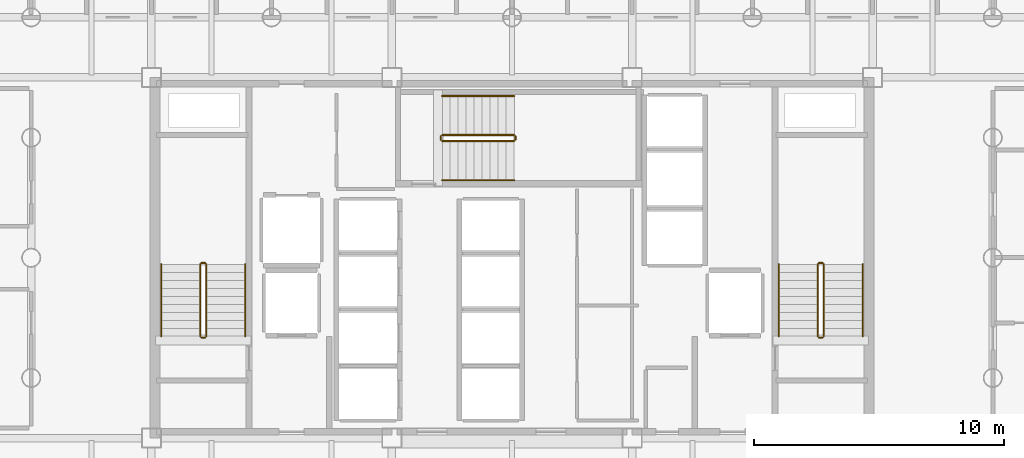
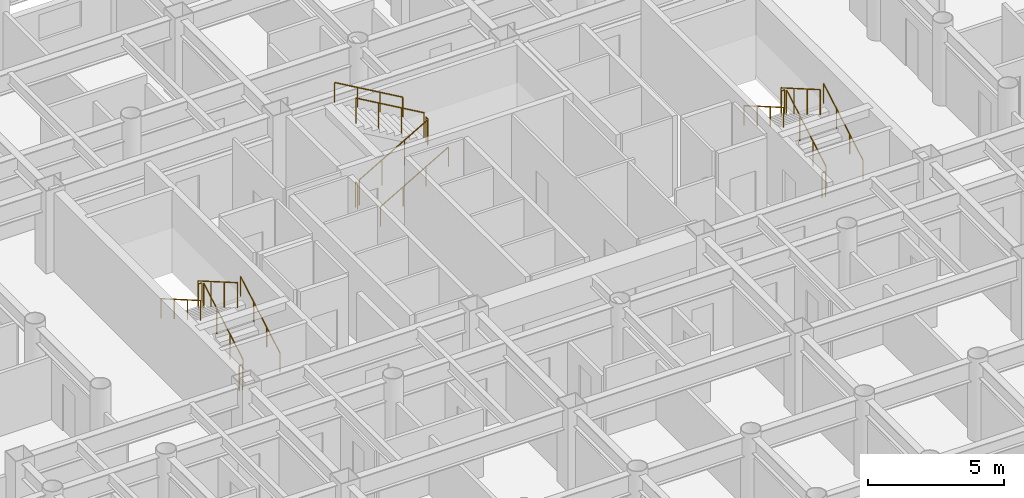
# One storey, part 22 of 22: 18 railings.
"""IFC4 building model written with IfcOpenShell, lengths in metres."""

from ifc_helpers import new_model, si_unit, direction, frame, origin, origin_2d, place, context, subcontext, project, spatial, circle, extrude, material, layer, layer_set, type_object, element, save


model = new_model("IFC4")

# Units and contexts
model_context = context("Model", 3, precision=1e-05, world=origin(), true_north=direction((0.0, 1.0)))
body_context = subcontext(model_context, "Body", "Model", "MODEL_VIEW")
ifc_project = project(units=[si_unit("LENGTHUNIT", "METRE"), si_unit("AREAUNIT", "SQUARE_METRE"), si_unit("VOLUMEUNIT", "CUBIC_METRE"), si_unit("PLANEANGLEUNIT", "RADIAN"), si_unit("MASSUNIT", "GRAM", prefix="KILO")], contexts=[model_context])

# Site, building, storey
site_placement = place(None, origin())
site = spatial("IfcSite", under=ifc_project, at=site_placement, CompositionType="ELEMENT")
building_placement = place(site_placement, origin())
building = spatial("IfcBuilding", under=site, at=building_placement, Name="Kallvorn Hotel Tower", CompositionType="ELEMENT")
storey_placement = place(building_placement, frame((0.0, 0.0, 37.39990234375)))
storey = spatial("IfcBuildingStorey", under=building, at=storey_placement, Name="L07", CompositionType="ELEMENT", Elevation=37.39990234375)

# Railings
ifc_material_1 = material(Name="Brushed stainless-steel tubular railing", Category="steel")
ifc_layer_1 = layer(ifc_material_1, 0.050048828125)
ifc_layer_set_1 = layer_set([ifc_layer_1], Name="RL_STAIR_GUARD")
railing_type_1 = type_object("IfcRailingType", Name="RL_STAIR_GUARD", PredefinedType="GUARDRAIL", material=ifc_layer_set_1)
railing_1_placement = place(storey_placement, frame((-12.2099609375, -3.139892578125, 0.18505859375)))
element("IfcRailing", 1, at=railing_1_placement, inside=storey, type_object=railing_type_1, Name="L07 ST1 stair guard 1", PredefinedType="GUARDRAIL", context=body_context, shape_type="SweptSolid", body=[
    extrude(circle(Radius=0.02392578125, at=origin_2d()), frame((0.0, 0.0, 1.1259765625), z_axis=(0.0, 0.865720918037, 0.500527014328), x_axis=(-1.0, 0.0, 0.0)), (0.0, 0.0, 1.0), 3.32666015625),
    extrude(circle(Radius=0.02099609375, at=origin_2d()), origin(), (0.0, 0.0, 1.0), 1.101806640625),
    extrude(circle(Radius=0.02099609375, at=origin_2d()), frame((0.0, 0.9599609375, 0.554931640625)), (0.0, 0.0, 1.0), 1.101806640625),
    extrude(circle(Radius=0.02099609375, at=origin_2d()), frame((0.0, 1.919921875, 1.110107421875)), (0.0, 0.0, 1.0), 1.101806640625),
    extrude(circle(Radius=0.02099609375, at=origin_2d()), frame((0.0, 2.8798828125, 1.6650390625)), (0.0, 0.0, 1.0), 1.101806640625),
])
railing_2_placement = place(storey_placement, frame((-12.260009765625, -0.2099609375, 1.85009765625)))
element("IfcRailing", 2, at=railing_2_placement, inside=storey, type_object=railing_type_1, Name="L07 ST1 stair guard 2", PredefinedType="GUARDRAIL", context=body_context, shape_type="SweptSolid", body=[
    extrude(circle(Radius=0.02392578125, at=origin_2d()), frame((0.0, 0.0, 1.1259765625), z_axis=(-1.0, 0.0, 0.0), x_axis=(0.0, -1.0, 0.0)), (0.0, 0.0, 1.0), 0.139892578125),
    extrude(circle(Radius=0.02099609375, at=origin_2d()), origin(), (0.0, 0.0, 1.0), 1.101806640625),
    extrude(circle(Radius=0.02099609375, at=origin_2d()), frame((-0.139892578125, 0.0, 0.0)), (0.0, 0.0, 1.0), 1.101806640625),
])
railing_3_placement = place(storey_placement, frame((-12.449951171875, -0.260009765625, 2.03515625)))
element("IfcRailing", 3, at=railing_3_placement, inside=storey, type_object=railing_type_1, Name="L07 ST1 stair guard 3", PredefinedType="GUARDRAIL", context=body_context, shape_type="SweptSolid", body=[
    extrude(circle(Radius=0.02392578125, at=origin_2d()), frame((0.0, 0.0, 1.1259765625), z_axis=(0.0, -0.865720918037, 0.500527014328), x_axis=(1.0, 0.0, 0.0)), (0.0, 0.0, 1.0), 3.32666015625),
    extrude(circle(Radius=0.02099609375, at=origin_2d()), origin(), (0.0, 0.0, 1.0), 1.101806640625),
    extrude(circle(Radius=0.02099609375, at=origin_2d()), frame((0.0, -0.9599609375, 0.554931640625)), (0.0, 0.0, 1.0), 1.101806640625),
    extrude(circle(Radius=0.02099609375, at=origin_2d()), frame((0.0, -1.919921875, 1.110107421875)), (0.0, 0.0, 1.0), 1.101806640625),
    extrude(circle(Radius=0.02099609375, at=origin_2d()), frame((0.0, -2.8798828125, 1.6650390625)), (0.0, 0.0, 1.0), 1.101806640625),
])
railing_4_placement = place(storey_placement, frame((-12.260009765625, -3.18994140625, 0.0)))
element("IfcRailing", 4, at=railing_4_placement, inside=storey, type_object=railing_type_1, Name="L07 ST1 stair guard 4", PredefinedType="GUARDRAIL", context=body_context, shape_type="SweptSolid", body=[
    extrude(circle(Radius=0.02392578125, at=origin_2d()), frame((0.0, 0.0, 1.1259765625), z_axis=(-1.0, 0.0, 0.0), x_axis=(0.0, -1.0, 0.0)), (0.0, 0.0, 1.0), 0.139892578125),
    extrude(circle(Radius=0.02099609375, at=origin_2d()), origin(), (0.0, 0.0, 1.0), 1.101806640625),
    extrude(circle(Radius=0.02099609375, at=origin_2d()), frame((-0.139892578125, 0.0, 0.0)), (0.0, 0.0, 1.0), 1.101806640625),
])
railing_5_placement = place(storey_placement, frame((12.449951171875, -3.139892578125, 0.18505859375)))
element("IfcRailing", 5, at=railing_5_placement, inside=storey, type_object=railing_type_1, Name="L07 ST2 stair guard 1", PredefinedType="GUARDRAIL", context=body_context, shape_type="SweptSolid", body=[
    extrude(circle(Radius=0.02392578125, at=origin_2d()), frame((0.0, 0.0, 1.1259765625), z_axis=(0.0, 0.865720918037, 0.500527014328), x_axis=(-1.0, 0.0, 0.0)), (0.0, 0.0, 1.0), 3.32666015625),
    extrude(circle(Radius=0.02099609375, at=origin_2d()), origin(), (0.0, 0.0, 1.0), 1.101806640625),
    extrude(circle(Radius=0.02099609375, at=origin_2d()), frame((0.0, 0.9599609375, 0.554931640625)), (0.0, 0.0, 1.0), 1.101806640625),
    extrude(circle(Radius=0.02099609375, at=origin_2d()), frame((0.0, 1.919921875, 1.110107421875)), (0.0, 0.0, 1.0), 1.101806640625),
    extrude(circle(Radius=0.02099609375, at=origin_2d()), frame((0.0, 2.8798828125, 1.6650390625)), (0.0, 0.0, 1.0), 1.101806640625),
])
railing_6_placement = place(storey_placement, frame((12.39990234375, -0.2099609375, 1.85009765625)))
element("IfcRailing", 6, at=railing_6_placement, inside=storey, type_object=railing_type_1, Name="L07 ST2 stair guard 2", PredefinedType="GUARDRAIL", context=body_context, shape_type="SweptSolid", body=[
    extrude(circle(Radius=0.02392578125, at=origin_2d()), frame((0.0, 0.0, 1.1259765625), z_axis=(-1.0, 0.0, 0.0), x_axis=(0.0, -1.0, 0.0)), (0.0, 0.0, 1.0), 0.139892578125),
    extrude(circle(Radius=0.02099609375, at=origin_2d()), origin(), (0.0, 0.0, 1.0), 1.101806640625),
    extrude(circle(Radius=0.02099609375, at=origin_2d()), frame((-0.139892578125, 0.0, 0.0)), (0.0, 0.0, 1.0), 1.101806640625),
])
railing_7_placement = place(storey_placement, frame((12.2099609375, -0.260009765625, 2.03515625)))
element("IfcRailing", 7, at=railing_7_placement, inside=storey, type_object=railing_type_1, Name="L07 ST2 stair guard 3", PredefinedType="GUARDRAIL", context=body_context, shape_type="SweptSolid", body=[
    extrude(circle(Radius=0.02392578125, at=origin_2d()), frame((0.0, 0.0, 1.1259765625), z_axis=(0.0, -0.865720918037, 0.500527014328), x_axis=(1.0, 0.0, 0.0)), (0.0, 0.0, 1.0), 3.32666015625),
    extrude(circle(Radius=0.02099609375, at=origin_2d()), origin(), (0.0, 0.0, 1.0), 1.101806640625),
    extrude(circle(Radius=0.02099609375, at=origin_2d()), frame((0.0, -0.9599609375, 0.554931640625)), (0.0, 0.0, 1.0), 1.101806640625),
    extrude(circle(Radius=0.02099609375, at=origin_2d()), frame((0.0, -1.919921875, 1.110107421875)), (0.0, 0.0, 1.0), 1.101806640625),
    extrude(circle(Radius=0.02099609375, at=origin_2d()), frame((0.0, -2.8798828125, 1.6650390625)), (0.0, 0.0, 1.0), 1.101806640625),
])
railing_8_placement = place(storey_placement, frame((12.39990234375, -3.18994140625, 0.0)))
element("IfcRailing", 8, at=railing_8_placement, inside=storey, type_object=railing_type_1, Name="L07 ST2 stair guard 4", PredefinedType="GUARDRAIL", context=body_context, shape_type="SweptSolid", body=[
    extrude(circle(Radius=0.02392578125, at=origin_2d()), frame((0.0, 0.0, 1.1259765625), z_axis=(-1.0, 0.0, 0.0), x_axis=(0.0, -1.0, 0.0)), (0.0, 0.0, 1.0), 0.139892578125),
    extrude(circle(Radius=0.02099609375, at=origin_2d()), origin(), (0.0, 0.0, 1.0), 1.101806640625),
    extrude(circle(Radius=0.02099609375, at=origin_2d()), frame((-0.139892578125, 0.0, 0.0)), (0.0, 0.0, 1.0), 1.101806640625),
])
railing_9_placement = place(storey_placement, frame((-2.7900390625, 4.659912109375, 0.18505859375)))
element("IfcRailing", 9, at=railing_9_placement, inside=storey, type_object=railing_type_1, Name="L07 ST3 stair guard 1", PredefinedType="GUARDRAIL", context=body_context, shape_type="SweptSolid", body=[
    extrude(circle(Radius=0.02392578125, at=origin_2d()), frame((0.0, 0.0, 1.1259765625), z_axis=(0.865739302748, 0.0, 0.50049521444), x_axis=(0.0, 1.0, 0.0)), (0.0, 0.0, 1.0), 3.326904296875),
    extrude(circle(Radius=0.02099609375, at=origin_2d()), origin(), (0.0, 0.0, 1.0), 1.101806640625),
    extrude(circle(Radius=0.02099609375, at=origin_2d()), frame((0.9599609375, 0.0, 0.554931640625)), (0.0, 0.0, 1.0), 1.101806640625),
    extrude(circle(Radius=0.02099609375, at=origin_2d()), frame((1.920166015625, 0.0, 1.110107421875)), (0.0, 0.0, 1.0), 1.101806640625),
    extrude(circle(Radius=0.02099609375, at=origin_2d()), frame((2.880126953125, 0.0, 1.6650390625)), (0.0, 0.0, 1.0), 1.101806640625),
])
railing_10_placement = place(storey_placement, frame((0.139892578125, 4.7099609375, 1.85009765625)))
element("IfcRailing", 10, at=railing_10_placement, inside=storey, type_object=railing_type_1, Name="L07 ST3 stair guard 2", PredefinedType="GUARDRAIL", context=body_context, shape_type="SweptSolid", body=[
    extrude(circle(Radius=0.02392578125, at=origin_2d()), frame((0.0, 0.0, 1.1259765625), z_axis=(0.0, 1.0, 0.0), x_axis=(-1.0, 0.0, 0.0)), (0.0, 0.0, 1.0), 0.14013671875),
    extrude(circle(Radius=0.02099609375, at=origin_2d()), origin(), (0.0, 0.0, 1.0), 1.101806640625),
    extrude(circle(Radius=0.02099609375, at=origin_2d()), frame((0.0, 0.14013671875, 0.0)), (0.0, 0.0, 1.0), 1.101806640625),
])
railing_11_placement = place(storey_placement, frame((0.090087890625, 4.89990234375, 2.03515625)))
element("IfcRailing", 11, at=railing_11_placement, inside=storey, type_object=railing_type_1, Name="L07 ST3 stair guard 3", PredefinedType="GUARDRAIL", context=body_context, shape_type="SweptSolid", body=[
    extrude(circle(Radius=0.02392578125, at=origin_2d()), frame((0.0, 0.0, 1.1259765625), z_axis=(-0.865739302748, 0.0, 0.50049521444), x_axis=(0.0, -1.0, 0.0)), (0.0, 0.0, 1.0), 3.326904296875),
    extrude(circle(Radius=0.02099609375, at=origin_2d()), origin(), (0.0, 0.0, 1.0), 1.101806640625),
    extrude(circle(Radius=0.02099609375, at=origin_2d()), frame((-0.9599609375, 0.0, 0.554931640625)), (0.0, 0.0, 1.0), 1.101806640625),
    extrude(circle(Radius=0.02099609375, at=origin_2d()), frame((-1.920166015625, 0.0, 1.110107421875)), (0.0, 0.0, 1.0), 1.101806640625),
    extrude(circle(Radius=0.02099609375, at=origin_2d()), frame((-2.880126953125, 0.0, 1.6650390625)), (0.0, 0.0, 1.0), 1.101806640625),
])
railing_12_placement = place(storey_placement, frame((-2.840087890625, 4.7099609375, 0.0)))
element("IfcRailing", 12, at=railing_12_placement, inside=storey, type_object=railing_type_1, Name="L07 ST3 stair guard 4", PredefinedType="GUARDRAIL", context=body_context, shape_type="SweptSolid", body=[
    extrude(circle(Radius=0.02392578125, at=origin_2d()), frame((0.0, 0.0, 1.1259765625), z_axis=(0.0, 1.0, 0.0), x_axis=(-1.0, 0.0, 0.0)), (0.0, 0.0, 1.0), 0.14013671875),
    extrude(circle(Radius=0.02099609375, at=origin_2d()), origin(), (0.0, 0.0, 1.0), 1.101806640625),
    extrude(circle(Radius=0.02099609375, at=origin_2d()), frame((0.0, 0.14013671875, 0.0)), (0.0, 0.0, 1.0), 1.101806640625),
])
ifc_material_2 = material(Name="Brushed stainless-steel tubular railing", Category="steel")
ifc_layer_2 = layer(ifc_material_2, 0.050048828125)
ifc_layer_set_2 = layer_set([ifc_layer_2], Name="RL_STAIR_HAND")
railing_type_2 = type_object("IfcRailingType", Name="RL_STAIR_HAND", PredefinedType="HANDRAIL", material=ifc_layer_set_2)
railing_13_placement = place(storey_placement, frame((-10.64990234375, -3.139892578125, 0.18505859375)))
element("IfcRailing", 13, at=railing_13_placement, inside=storey, type_object=railing_type_2, Name="L07 ST1 stair handrail 1", PredefinedType="HANDRAIL", context=body_context, shape_type="SweptSolid", body=[
    extrude(circle(Radius=0.02392578125, at=origin_2d()), frame((0.0, 0.0, 0.8759765625), z_axis=(0.0, 0.865720918037, 0.500527014328), x_axis=(-1.0, 0.0, 0.0)), (0.0, 0.0, 1.0), 3.32666015625),
    extrude(circle(Radius=0.02099609375, at=origin_2d()), origin(), (0.0, 0.0, 1.0), 0.851806640625),
    extrude(circle(Radius=0.02099609375, at=origin_2d()), frame((0.0, 0.9599609375, 0.554931640625)), (0.0, 0.0, 1.0), 0.851806640625),
    extrude(circle(Radius=0.02099609375, at=origin_2d()), frame((0.0, 1.919921875, 1.110107421875)), (0.0, 0.0, 1.0), 0.851806640625),
    extrude(circle(Radius=0.02099609375, at=origin_2d()), frame((0.0, 2.8798828125, 1.6650390625)), (0.0, 0.0, 1.0), 0.851806640625),
])
railing_14_placement = place(storey_placement, frame((-14.010009765625, -0.260009765625, 2.03515625)))
element("IfcRailing", 14, at=railing_14_placement, inside=storey, type_object=railing_type_2, Name="L07 ST1 stair handrail 2", PredefinedType="HANDRAIL", context=body_context, shape_type="SweptSolid", body=[
    extrude(circle(Radius=0.02392578125, at=origin_2d()), frame((0.0, 0.0, 0.8759765625), z_axis=(0.0, -0.865720918037, 0.500527014328), x_axis=(1.0, 0.0, 0.0)), (0.0, 0.0, 1.0), 3.32666015625),
    extrude(circle(Radius=0.02099609375, at=origin_2d()), origin(), (0.0, 0.0, 1.0), 0.851806640625),
    extrude(circle(Radius=0.02099609375, at=origin_2d()), frame((0.0, -0.9599609375, 0.554931640625)), (0.0, 0.0, 1.0), 0.851806640625),
    extrude(circle(Radius=0.02099609375, at=origin_2d()), frame((0.0, -1.919921875, 1.110107421875)), (0.0, 0.0, 1.0), 0.851806640625),
    extrude(circle(Radius=0.02099609375, at=origin_2d()), frame((0.0, -2.8798828125, 1.6650390625)), (0.0, 0.0, 1.0), 0.851806640625),
])
railing_15_placement = place(storey_placement, frame((14.010009765625, -3.139892578125, 0.18505859375)))
element("IfcRailing", 15, at=railing_15_placement, inside=storey, type_object=railing_type_2, Name="L07 ST2 stair handrail 1", PredefinedType="HANDRAIL", context=body_context, shape_type="SweptSolid", body=[
    extrude(circle(Radius=0.02392578125, at=origin_2d()), frame((0.0, 0.0, 0.8759765625), z_axis=(0.0, 0.865720918037, 0.500527014328), x_axis=(-1.0, 0.0, 0.0)), (0.0, 0.0, 1.0), 3.32666015625),
    extrude(circle(Radius=0.02099609375, at=origin_2d()), origin(), (0.0, 0.0, 1.0), 0.851806640625),
    extrude(circle(Radius=0.02099609375, at=origin_2d()), frame((0.0, 0.9599609375, 0.554931640625)), (0.0, 0.0, 1.0), 0.851806640625),
    extrude(circle(Radius=0.02099609375, at=origin_2d()), frame((0.0, 1.919921875, 1.110107421875)), (0.0, 0.0, 1.0), 0.851806640625),
    extrude(circle(Radius=0.02099609375, at=origin_2d()), frame((0.0, 2.8798828125, 1.6650390625)), (0.0, 0.0, 1.0), 0.851806640625),
])
railing_16_placement = place(storey_placement, frame((10.64990234375, -0.260009765625, 2.03515625)))
element("IfcRailing", 16, at=railing_16_placement, inside=storey, type_object=railing_type_2, Name="L07 ST2 stair handrail 2", PredefinedType="HANDRAIL", context=body_context, shape_type="SweptSolid", body=[
    extrude(circle(Radius=0.02392578125, at=origin_2d()), frame((0.0, 0.0, 0.8759765625), z_axis=(0.0, -0.865720918037, 0.500527014328), x_axis=(1.0, 0.0, 0.0)), (0.0, 0.0, 1.0), 3.32666015625),
    extrude(circle(Radius=0.02099609375, at=origin_2d()), origin(), (0.0, 0.0, 1.0), 0.851806640625),
    extrude(circle(Radius=0.02099609375, at=origin_2d()), frame((0.0, -0.9599609375, 0.554931640625)), (0.0, 0.0, 1.0), 0.851806640625),
    extrude(circle(Radius=0.02099609375, at=origin_2d()), frame((0.0, -1.919921875, 1.110107421875)), (0.0, 0.0, 1.0), 0.851806640625),
    extrude(circle(Radius=0.02099609375, at=origin_2d()), frame((0.0, -2.8798828125, 1.6650390625)), (0.0, 0.0, 1.0), 0.851806640625),
])
railing_17_placement = place(storey_placement, frame((-2.7900390625, 3.10009765625, 0.18505859375)))
element("IfcRailing", 17, at=railing_17_placement, inside=storey, type_object=railing_type_2, Name="L07 ST3 stair handrail 1", PredefinedType="HANDRAIL", context=body_context, shape_type="SweptSolid", body=[
    extrude(circle(Radius=0.02392578125, at=origin_2d()), frame((0.0, 0.0, 0.8759765625), z_axis=(0.865739302748, 0.0, 0.50049521444), x_axis=(0.0, 1.0, 0.0)), (0.0, 0.0, 1.0), 3.326904296875),
    extrude(circle(Radius=0.02099609375, at=origin_2d()), origin(), (0.0, 0.0, 1.0), 0.851806640625),
    extrude(circle(Radius=0.02099609375, at=origin_2d()), frame((0.9599609375, 0.0, 0.554931640625)), (0.0, 0.0, 1.0), 0.851806640625),
    extrude(circle(Radius=0.02099609375, at=origin_2d()), frame((1.920166015625, 0.0, 1.110107421875)), (0.0, 0.0, 1.0), 0.851806640625),
    extrude(circle(Radius=0.02099609375, at=origin_2d()), frame((2.880126953125, 0.0, 1.6650390625)), (0.0, 0.0, 1.0), 0.851806640625),
])
railing_18_placement = place(storey_placement, frame((0.090087890625, 6.4599609375, 2.03515625)))
element("IfcRailing", 18, at=railing_18_placement, inside=storey, type_object=railing_type_2, Name="L07 ST3 stair handrail 2", PredefinedType="HANDRAIL", context=body_context, shape_type="SweptSolid", body=[
    extrude(circle(Radius=0.02392578125, at=origin_2d()), frame((0.0, 0.0, 0.8759765625), z_axis=(-0.865739302748, 0.0, 0.50049521444), x_axis=(0.0, -1.0, 0.0)), (0.0, 0.0, 1.0), 3.326904296875),
    extrude(circle(Radius=0.02099609375, at=origin_2d()), origin(), (0.0, 0.0, 1.0), 0.851806640625),
    extrude(circle(Radius=0.02099609375, at=origin_2d()), frame((-0.9599609375, 0.0, 0.554931640625)), (0.0, 0.0, 1.0), 0.851806640625),
    extrude(circle(Radius=0.02099609375, at=origin_2d()), frame((-1.920166015625, 0.0, 1.110107421875)), (0.0, 0.0, 1.0), 0.851806640625),
    extrude(circle(Radius=0.02099609375, at=origin_2d()), frame((-2.880126953125, 0.0, 1.6650390625)), (0.0, 0.0, 1.0), 0.851806640625),
])

save(model, "model.ifc")
